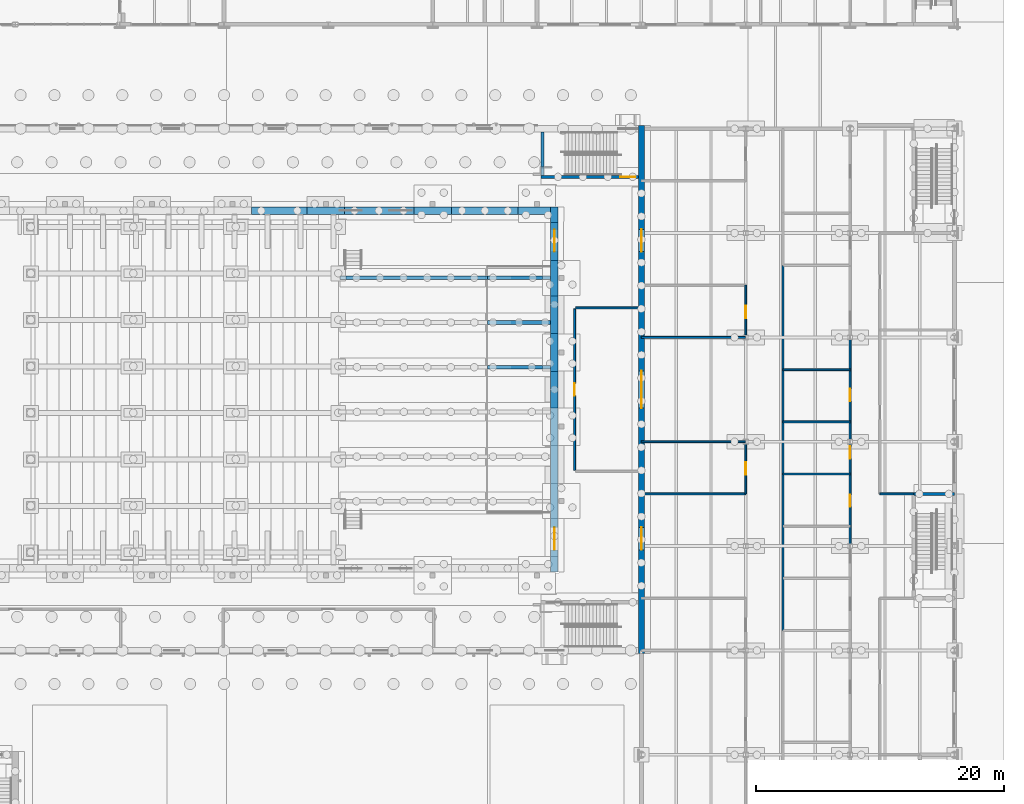
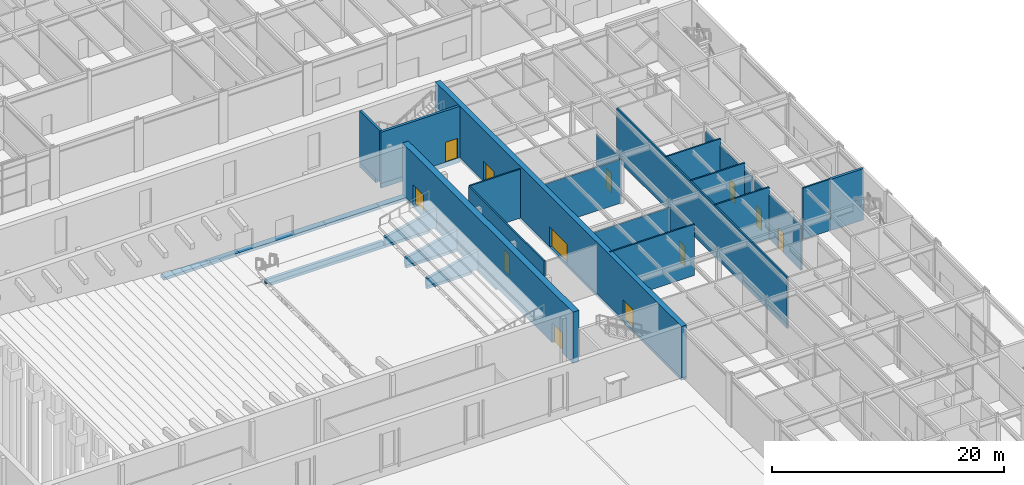
# One storey, part 68 of 127: 42 walls, 12 doors, 12 openings.
"""IFC4 building model written with IfcOpenShell, lengths in metres."""

from ifc_helpers import new_model, si_unit, direction, frame, frame_2d, origin, place, context, subcontext, project, spatial, polyline, rectangle, outline, extrude, material, layer, layer_set, type_object, element, fill, save


model = new_model("IFC4")

# Units and contexts
model_context = context("Model", 3, precision=1e-05, world=origin(), true_north=direction((0.0, 1.0)))
body_context = subcontext(model_context, "Body", "Model", "MODEL_VIEW")
ifc_project = project(units=[si_unit("LENGTHUNIT", "METRE"), si_unit("AREAUNIT", "SQUARE_METRE"), si_unit("VOLUMEUNIT", "CUBIC_METRE"), si_unit("PLANEANGLEUNIT", "RADIAN"), si_unit("MASSUNIT", "GRAM", prefix="KILO")], contexts=[model_context])

# Site, building, storey
site_placement = place(None, origin())
site = spatial("IfcSite", under=ifc_project, at=site_placement, CompositionType="ELEMENT")
building_placement = place(site_placement, origin())
building = spatial("IfcBuilding", under=site, at=building_placement, Name="Ljudholm Concert House", CompositionType="ELEMENT")
storey_placement = place(building_placement, origin())
storey = spatial("IfcBuildingStorey", under=building, at=storey_placement, Name="L00", CompositionType="ELEMENT", Elevation=0.0)

# Wall, opening, door
ifc_material_1 = material(Name="Gypsum board on steel studs", Category="steel")
ifc_layer_1 = layer(ifc_material_1, 0.14990234375)
ifc_layer_set_1 = layer_set([ifc_layer_1], Name="Gypsum board on steel studs")
wall_type_1 = type_object("IfcWallType", Name="GYPSUM PARTITION 150", PredefinedType="PARTITIONING", material=ifc_layer_set_1)
wall_1_placement = place(storey_placement, frame((91.02490234375, 68.89990234375, 0.0), z_axis=(0.0, 0.0, 1.0), x_axis=(0.0, 1.0, 0.0)))
wall_1 = element("IfcWall", 1, at=wall_1_placement, inside=storey, type_object=wall_type_1, Name="Stage Store partition", PredefinedType="PARTITIONING", context=body_context, shape_type="SweptSolid", body=[
    extrude(rectangle(XDim=13.0, YDim=0.14990234375, at=frame_2d((6.5, 0.0))), origin(), (0.0, 0.0, 1.0), 5.14990234375),
])
opening_1_placement = place(wall_1_placement, frame((6.0, 0.0, 0.0)))
opening_1 = element("IfcOpeningElement", 2, at=opening_1_placement, cuts=wall_1, Name="Opening D-H00-005", PredefinedType="OPENING", context=body_context, shape_type="SweptSolid", body=[
    extrude(rectangle(XDim=1.0, YDim=2.10009765625, at=frame_2d((0.5, 1.050048828125))), frame((0.0, 0.0849609375, 0.0), z_axis=(0.0, -1.0, 0.0), x_axis=(1.0, 0.0, 0.0)), (0.0, 0.0, 1.0), 0.169921875),
])
ifc_material_2 = material(Name="Hollow metal door in steel frame", Category="steel")
door_type_1 = type_object("IfcDoorType", Name="SWING DOOR 1000x2100", OperationType="SINGLE_SWING_LEFT", PredefinedType="DOOR", material=ifc_material_2)
door_1_placement = place(opening_1_placement, frame((1.0, 0.0, 0.0), z_axis=(0.0, 0.0, 1.0), x_axis=(-1.0, 0.0, 0.0)))
door_1 = element("IfcDoor", 3, at=door_1_placement, inside=storey, type_object=door_type_1, Name="Stage Store door", OperationType="SINGLE_SWING_LEFT", OverallHeight=2.10009765625, OverallWidth=1.0, PredefinedType="DOOR", context=body_context, shape_type="SweptSolid", body=[
    extrude(rectangle(XDim=1.0, YDim=2.10009765625, at=frame_2d((0.5, 1.050048828125))), frame((0.0, 0.02490234375, 0.0), z_axis=(0.0, -1.0, 0.0), x_axis=(1.0, 0.0, 0.0)), (0.0, 0.0, 1.0), 0.050048828125),
])
fill(opening_1, door_1)

# Wall
wall_2_placement = place(storey_placement, frame((91.10009765625, 81.97509765625, 0.0), z_axis=(0.0, 0.0, 1.0), x_axis=(1.0, 0.0, 0.0)))
element("IfcWall", 4, at=wall_2_placement, inside=storey, type_object=wall_type_1, Name="Stage Store partition", PredefinedType="PARTITIONING", context=body_context, shape_type="SweptSolid", body=[
    extrude(rectangle(XDim=5.0498046875, YDim=0.14990234375, at=frame_2d((2.52490234375, 0.0))), origin(), (0.0, 0.0, 1.0), 5.14990234375),
])

# Wall, opening, door
wall_3_placement = place(storey_placement, frame((104.800048828125, 67.0, 0.0), z_axis=(0.0, 0.0, 1.0), x_axis=(0.0, 1.0, 0.0)))
wall_3 = element("IfcWall", 5, at=wall_3_placement, inside=storey, type_object=wall_type_1, Name="Partition", PredefinedType="PARTITIONING", context=body_context, shape_type="SweptSolid", body=[
    extrude(rectangle(XDim=4.013427734375, YDim=0.14990234375, at=frame_2d((2.0068359375, 0.0))), origin(), (0.0, 0.0, 1.0), 4.6865234375),
])
opening_2_placement = place(wall_3_placement, frame((1.550048828125, 0.0, 0.0)))
opening_2 = element("IfcOpeningElement", 6, at=opening_2_placement, cuts=wall_3, Name="Opening D-W00-021", PredefinedType="OPENING", context=body_context, shape_type="SweptSolid", body=[
    extrude(rectangle(XDim=1.0, YDim=2.10009765625, at=frame_2d((0.5, 1.050048828125))), frame((0.0, 0.0849609375, 0.0), z_axis=(0.0, -1.0, 0.0), x_axis=(1.0, 0.0, 0.0)), (0.0, 0.0, 1.0), 0.169921875),
])
door_2_placement = place(opening_2_placement, origin())
door_2 = element("IfcDoor", 7, at=door_2_placement, inside=storey, type_object=door_type_1, Name="Door", OperationType="SINGLE_SWING_LEFT", OverallHeight=2.10009765625, OverallWidth=1.0, PredefinedType="DOOR", context=body_context, shape_type="SweptSolid", body=[
    extrude(rectangle(XDim=1.0, YDim=2.10009765625, at=frame_2d((0.5, 1.050048828125))), frame((0.0, 0.02490234375, 0.0), z_axis=(0.0, -1.0, 0.0), x_axis=(1.0, 0.0, 0.0)), (0.0, 0.0, 1.0), 0.050048828125),
])
fill(opening_2, door_2)

wall_4_placement = place(storey_placement, frame((104.800048828125, 79.78662109375, 0.0), z_axis=(0.0, 0.0, 1.0), x_axis=(0.0, 1.0, 0.0)))
wall_4 = element("IfcWall", 8, at=wall_4_placement, inside=storey, type_object=wall_type_1, Name="Partition", PredefinedType="PARTITIONING", context=body_context, shape_type="SweptSolid", body=[
    extrude(rectangle(XDim=4.013427734375, YDim=0.14990234375, at=frame_2d((2.0068359375, 0.0))), origin(), (0.0, 0.0, 1.0), 4.6865234375),
])
opening_3_placement = place(wall_4_placement, frame((1.36328125, 0.0, 0.0)))
opening_3 = element("IfcOpeningElement", 9, at=opening_3_placement, cuts=wall_4, Name="Opening D-W00-022", PredefinedType="OPENING", context=body_context, shape_type="SweptSolid", body=[
    extrude(rectangle(XDim=1.0, YDim=2.10009765625, at=frame_2d((0.5, 1.050048828125))), frame((0.0, 0.0849609375, 0.0), z_axis=(0.0, -1.0, 0.0), x_axis=(1.0, 0.0, 0.0)), (0.0, 0.0, 1.0), 0.169921875),
])
door_3_placement = place(opening_3_placement, origin())
door_3 = element("IfcDoor", 10, at=door_3_placement, inside=storey, type_object=door_type_1, Name="Door", OperationType="SINGLE_SWING_LEFT", OverallHeight=2.10009765625, OverallWidth=1.0, PredefinedType="DOOR", context=body_context, shape_type="SweptSolid", body=[
    extrude(rectangle(XDim=1.0, YDim=2.10009765625, at=frame_2d((0.5, 1.050048828125))), frame((0.0, 0.02490234375, 0.0), z_axis=(0.0, -1.0, 0.0), x_axis=(1.0, 0.0, 0.0)), (0.0, 0.0, 1.0), 0.050048828125),
])
fill(opening_3, door_3)

# Wall
wall_5_placement = place(storey_placement, frame((107.800048828125, 56.0, 0.0), z_axis=(0.0, 0.0, 1.0), x_axis=(0.0, 1.0, 0.0)))
element("IfcWall", 11, at=wall_5_placement, inside=storey, type_object=wall_type_1, Name="Partition", PredefinedType="PARTITIONING", context=body_context, shape_type="SweptSolid", body=[
    extrude(rectangle(XDim=29.39990234375, YDim=0.14990234375, at=frame_2d((14.699951171875, 0.0))), origin(), (0.0, 0.0, 1.0), 5.39990234375),
])

# Wall, openings, doors
wall_6_placement = place(storey_placement, frame((113.199951171875, 62.986572265625, 0.0), z_axis=(0.0, 0.0, 1.0), x_axis=(0.0, 1.0, 0.0)))
wall_6 = element("IfcWall", 12, at=wall_6_placement, inside=storey, type_object=wall_type_1, Name="Partition", PredefinedType="PARTITIONING", context=body_context, shape_type="SweptSolid", body=[
    extrude(rectangle(XDim=8.02685546875, YDim=0.14990234375, at=frame_2d((4.013427734375, 0.0))), origin(), (0.0, 0.0, 1.0), 4.6865234375),
])
opening_4_placement = place(wall_6_placement, frame((2.96337890625, 0.0, 0.0)))
opening_4 = element("IfcOpeningElement", 13, at=opening_4_placement, cuts=wall_6, Name="Opening D-W00-031", PredefinedType="OPENING", context=body_context, shape_type="SweptSolid", body=[
    extrude(rectangle(XDim=1.0, YDim=2.10009765625, at=frame_2d((0.5, 1.050048828125))), frame((0.0, 0.0849609375, 0.0), z_axis=(0.0, -1.0, 0.0), x_axis=(1.0, 0.0, 0.0)), (0.0, 0.0, 1.0), 0.169921875),
])
opening_5_placement = place(wall_6_placement, frame((6.86328125, 0.0, 0.0)))
opening_5 = element("IfcOpeningElement", 14, at=opening_5_placement, cuts=wall_6, Name="Opening D-W00-032", PredefinedType="OPENING", context=body_context, shape_type="SweptSolid", body=[
    extrude(rectangle(XDim=1.0, YDim=2.10009765625, at=frame_2d((0.5, 1.050048828125))), frame((0.0, 0.0849609375, 0.0), z_axis=(0.0, -1.0, 0.0), x_axis=(1.0, 0.0, 0.0)), (0.0, 0.0, 1.0), 0.169921875),
])
door_4_placement = place(opening_4_placement, origin())
door_4 = element("IfcDoor", 15, at=door_4_placement, inside=storey, type_object=door_type_1, Name="Door", OperationType="SINGLE_SWING_RIGHT", OverallHeight=2.10009765625, OverallWidth=1.0, PredefinedType="DOOR", context=body_context, shape_type="SweptSolid", body=[
    extrude(rectangle(XDim=1.0, YDim=2.10009765625, at=frame_2d((0.5, 1.050048828125))), frame((0.0, 0.02490234375, 0.0), z_axis=(0.0, -1.0, 0.0), x_axis=(1.0, 0.0, 0.0)), (0.0, 0.0, 1.0), 0.050048828125),
])
fill(opening_4, door_4)
door_5_placement = place(opening_5_placement, origin())
door_5 = element("IfcDoor", 16, at=door_5_placement, inside=storey, type_object=door_type_1, Name="Door", OperationType="SINGLE_SWING_LEFT", OverallHeight=2.10009765625, OverallWidth=1.0, PredefinedType="DOOR", context=body_context, shape_type="SweptSolid", body=[
    extrude(rectangle(XDim=1.0, YDim=2.10009765625, at=frame_2d((0.5, 1.050048828125))), frame((0.0, 0.02490234375, 0.0), z_axis=(0.0, -1.0, 0.0), x_axis=(1.0, 0.0, 0.0)), (0.0, 0.0, 1.0), 0.050048828125),
])
fill(opening_5, door_5)

# Wall, opening, door
wall_7_placement = place(storey_placement, frame((113.199951171875, 71.38671875, 0.0), z_axis=(0.0, 0.0, 1.0), x_axis=(0.0, 1.0, 0.0)))
wall_7 = element("IfcWall", 17, at=wall_7_placement, inside=storey, type_object=wall_type_1, Name="Partition", PredefinedType="PARTITIONING", context=body_context, shape_type="SweptSolid", body=[
    extrude(rectangle(XDim=8.026611328125, YDim=0.14990234375, at=frame_2d((4.01318359375, 0.0))), origin(), (0.0, 0.0, 1.0), 4.6865234375),
])
opening_6_placement = place(wall_7_placement, frame((3.063232421875, 0.0, 0.0)))
opening_6 = element("IfcOpeningElement", 18, at=opening_6_placement, cuts=wall_7, Name="Opening D-W00-033", PredefinedType="OPENING", context=body_context, shape_type="SweptSolid", body=[
    extrude(rectangle(XDim=1.0, YDim=2.10009765625, at=frame_2d((0.5, 1.050048828125))), frame((0.0, 0.0849609375, 0.0), z_axis=(0.0, -1.0, 0.0), x_axis=(1.0, 0.0, 0.0)), (0.0, 0.0, 1.0), 0.169921875),
])
door_6_placement = place(opening_6_placement, origin())
door_6 = element("IfcDoor", 19, at=door_6_placement, inside=storey, type_object=door_type_1, Name="Door", OperationType="SINGLE_SWING_RIGHT", OverallHeight=2.10009765625, OverallWidth=1.0, PredefinedType="DOOR", context=body_context, shape_type="SweptSolid", body=[
    extrude(rectangle(XDim=1.0, YDim=2.10009765625, at=frame_2d((0.5, 1.050048828125))), frame((0.0, 0.02490234375, 0.0), z_axis=(0.0, -1.0, 0.0), x_axis=(1.0, 0.0, 0.0)), (0.0, 0.0, 1.0), 0.050048828125),
])
fill(opening_6, door_6)

# Walls
wall_8_placement = place(storey_placement, frame((96.39990234375, 67.0, 0.0), z_axis=(0.0, 0.0, 1.0), x_axis=(1.0, 0.0, 0.0)))
element("IfcWall", 20, at=wall_8_placement, inside=storey, type_object=wall_type_1, Name="Partition", PredefinedType="PARTITIONING", context=body_context, shape_type="SweptSolid", body=[
    extrude(rectangle(XDim=8.400146484375, YDim=0.14990234375, at=frame_2d((4.2001953125, 0.0))), origin(), (0.0, 0.0, 1.0), 5.39990234375),
])
wall_9_placement = place(storey_placement, frame((115.60009765625, 67.0, 0.0), z_axis=(0.0, 0.0, 1.0), x_axis=(1.0, 0.0, 0.0)))
element("IfcWall", 21, at=wall_9_placement, inside=storey, type_object=wall_type_1, Name="Partition", PredefinedType="PARTITIONING", context=body_context, shape_type="SweptSolid", body=[
    extrude(rectangle(XDim=2.724853515625, YDim=0.14990234375, at=frame_2d((1.3623046875, 0.0))), origin(), (0.0, 0.0, 1.0), 5.39990234375),
])
wall_10_placement = place(storey_placement, frame((107.800048828125, 68.60009765625, 0.0), z_axis=(0.0, 0.0, 1.0), x_axis=(1.0, 0.0, 0.0)))
element("IfcWall", 22, at=wall_10_placement, inside=storey, type_object=wall_type_1, Name="Partition", PredefinedType="PARTITIONING", context=body_context, shape_type="SweptSolid", body=[
    extrude(rectangle(XDim=5.39990234375, YDim=0.14990234375, at=frame_2d((2.699951171875, 0.0))), origin(), (0.0, 0.0, 1.0), 5.39990234375),
])
wall_11_placement = place(storey_placement, frame((96.39990234375, 71.199951171875, 0.0), z_axis=(0.0, 0.0, 1.0), x_axis=(1.0, 0.0, 0.0)))
element("IfcWall", 23, at=wall_11_placement, inside=storey, type_object=wall_type_1, Name="Partition", PredefinedType="PARTITIONING", context=body_context, shape_type="SweptSolid", body=[
    extrude(rectangle(XDim=8.391845703125, YDim=0.14990234375, at=frame_2d((4.19580078125, 0.0))), origin(), (0.0, 0.0, 1.0), 4.60791015625),
])
for number, where, z_axis, x_axis, name in (
    (24, (107.800048828125, 72.800048828125, 0.0), (0.0, 0.0, 1.0), (1.0, 0.0, 0.0), "Partition"),
    (25, (107.800048828125, 77.0, 0.0), (0.0, 0.0, 1.0), (1.0, 0.0, 0.0), "Partition"),
):
    element("IfcWall", number, at=place(storey_placement, frame(where, z_axis=z_axis, x_axis=x_axis)), inside=storey, type_object=wall_type_1, Name=name, PredefinedType="PARTITIONING", context=body_context, shape_type="SweptSolid", body=[
        extrude(rectangle(XDim=5.39990234375, YDim=0.14990234375, at=frame_2d((2.699951171875, 0.0))), origin(), (0.0, 0.0, 1.0), 5.39990234375),
    ])
wall_12_placement = place(storey_placement, frame((96.39990234375, 79.60009765625, 0.0), z_axis=(0.0, 0.0, 1.0), x_axis=(1.0, 0.0, 0.0)))
element("IfcWall", 26, at=wall_12_placement, inside=storey, type_object=wall_type_1, Name="Partition", PredefinedType="PARTITIONING", context=body_context, shape_type="SweptSolid", body=[
    extrude(rectangle(XDim=8.391845703125, YDim=0.14990234375, at=frame_2d((4.19580078125, 0.0))), origin(), (0.0, 0.0, 1.0), 4.60791015625),
])
ifc_material_3 = material(Name="Concrete 6,500 psi", Category="concrete")
ifc_layer_2 = layer(ifc_material_3, 0.25)
ifc_layer_set_2 = layer_set([ifc_layer_2], Name="Concrete 6,500 psi")
wall_type_2 = type_object("IfcWallType", Name="RC CORE WALL 250", PredefinedType="SHEAR", material=ifc_layer_set_2)
wall_13_placement = place(storey_placement, frame((118.324951171875, 67.0, 0.0), z_axis=(0.0, 0.0, 1.0), x_axis=(1.0, 0.0, 0.0)))
element("IfcWall", 27, at=wall_13_placement, inside=storey, type_object=wall_type_2, Name="Stair core wall", PredefinedType="SHEAR", context=body_context, shape_type="SweptSolid", body=[
    extrude(rectangle(XDim=3.275146484375, YDim=0.25, at=frame_2d((1.6376953125, 0.0))), origin(), (0.0, 0.0, 1.0), 5.39990234375),
])

# Wall, opening, door
ifc_material_4 = material(Name="Concrete 6,500 psi", Category="concrete")
ifc_layer_3 = layer(ifc_material_4, 0.25)
ifc_layer_set_3 = layer_set([ifc_layer_3], Name="Concrete 6,500 psi")
wall_type_3 = type_object("IfcWallType", Name="RC WALL 250", PredefinedType="SOLIDWALL", material=ifc_layer_set_3)
wall_14_placement = place(storey_placement, frame((88.300048828125, 92.52490234375, 0.0), z_axis=(0.0, 0.0, 1.0), x_axis=(1.0, 0.0, 0.0)))
wall_14 = element("IfcWall", 28, at=wall_14_placement, inside=storey, type_object=wall_type_3, Name="Stair enclosure wall EH4", PredefinedType="SOLIDWALL", context=body_context, shape_type="SweptSolid", body=[
    extrude(rectangle(XDim=7.849853515625, YDim=0.25, at=frame_2d((3.9248046875, 0.0))), origin(), (0.0, 0.0, 1.0), 5.39990234375),
])
opening_7_placement = place(wall_14_placement, frame((6.39990234375, 0.0, 0.0)))
opening_7 = element("IfcOpeningElement", 29, at=opening_7_placement, cuts=wall_14, Name="Opening D-H00-012", PredefinedType="OPENING", context=body_context, shape_type="SweptSolid", body=[
    extrude(rectangle(XDim=1.199951171875, YDim=2.10009765625, at=frame_2d((0.60009765625, 1.050048828125))), frame((0.0, 0.135009765625, 0.0), z_axis=(0.0, -1.0, 0.0), x_axis=(1.0, 0.0, 0.0)), (0.0, 0.0, 1.0), 0.27001953125),
])
ifc_material_5 = material(Name="Hollow metal door in steel frame", Category="steel")
door_type_2 = type_object("IfcDoorType", Name="SWING DOOR 1200x2100", OperationType="SINGLE_SWING_LEFT", PredefinedType="DOOR", material=ifc_material_5)
door_7_placement = place(opening_7_placement, origin())
door_7 = element("IfcDoor", 30, at=door_7_placement, inside=storey, type_object=door_type_2, Name="Exit stair EH4 door", OperationType="SINGLE_SWING_RIGHT", OverallHeight=2.10009765625, OverallWidth=1.199951171875, PredefinedType="DOOR", context=body_context, shape_type="SweptSolid", body=[
    extrude(rectangle(XDim=1.199951171875, YDim=2.10009765625, at=frame_2d((0.60009765625, 1.050048828125))), frame((0.0, 0.02490234375, 0.0), z_axis=(0.0, -1.0, 0.0), x_axis=(1.0, 0.0, 0.0)), (0.0, 0.0, 1.0), 0.050048828125),
])
fill(opening_7, door_7)

# Walls
wall_15_placement = place(storey_placement, frame((88.425048828125, 92.64990234375, 0.0), z_axis=(0.0, 0.0, 1.0), x_axis=(0.0, 1.0, 0.0)))
element("IfcWall", 31, at=wall_15_placement, inside=storey, type_object=wall_type_3, Name="Stair enclosure wall EH4", PredefinedType="SOLIDWALL", context=body_context, shape_type="SweptSolid", body=[
    extrude(rectangle(XDim=3.5, YDim=0.25, at=frame_2d((1.75, 0.0))), origin(), (0.0, 0.0, 1.0), 5.39990234375),
])
wall_16_placement = place(storey_placement, frame((88.320068359375, 92.52490234375, -0.5), z_axis=(0.0, 0.0, 1.0), x_axis=(1.0, 0.0, 0.0)))
element("IfcWall", 32, at=wall_16_placement, inside=storey, type_object=wall_type_3, Name="Wall stem", PredefinedType="SOLIDWALL", context=body_context, shape_type="SweptSolid", body=[
    extrude(rectangle(XDim=7.829833984375, YDim=0.25, at=frame_2d((3.9150390625, 0.0))), origin(), (0.0, 0.0, 1.0), 0.5),
])
wall_17_placement = place(storey_placement, frame((88.425048828125, 93.344970703125, -0.5), z_axis=(0.0, 0.0, 1.0), x_axis=(0.0, 1.0, 0.0)))
element("IfcWall", 33, at=wall_17_placement, inside=storey, type_object=wall_type_3, Name="Wall stem", PredefinedType="SOLIDWALL", context=body_context, shape_type="SweptSolid", body=[
    extrude(rectangle(XDim=2.804931640625, YDim=0.25, at=frame_2d((1.40234375, 0.0))), origin(), (0.0, 0.0, 1.0), 0.5),
])
ifc_material_6 = material(Name="Concrete 6,500 psi", Category="concrete")
ifc_layer_4 = layer(ifc_material_6, 0.300048828125)
ifc_layer_set_4 = layer_set([ifc_layer_4], Name="Concrete 6,500 psi")
wall_type_4 = type_object("IfcWallType", Name="RC WALL 300", PredefinedType="SOLIDWALL", material=ifc_layer_set_4)
wall_18_placement = place(storey_placement, frame((72.14990234375, 84.39990234375, 0.0), z_axis=(0.0, 0.0, 1.0), x_axis=(1.0, 0.0, 0.0)))
element("IfcWall", 34, at=wall_18_placement, inside=storey, type_object=wall_type_4, Name="Platform support wall", PredefinedType="SOLIDWALL", context=body_context, shape_type="SweptSolid", body=[
    extrude(rectangle(XDim=11.7001953125, YDim=0.300048828125, at=frame_2d((5.85009765625, 0.0))), origin(), (0.0, 0.0, 1.0), 0.449951171875),
])
for number, where, z_axis, x_axis, name in (
    (35, (84.0, 77.199951171875, 0.0), (0.0, 0.0, 1.0), (1.0, 0.0, 0.0), "Choir seating support wall"),
    (36, (84.0, 80.800048828125, 0.0), (0.0, 0.0, 1.0), (1.0, 0.0, 0.0), "Choir seating support wall"),
    (37, (84.0, 84.39990234375, 0.0), (0.0, 0.0, 1.0), (1.0, 0.0, 0.0), "Choir seating support wall"),
):
    element("IfcWall", number, at=place(storey_placement, frame(where, z_axis=z_axis, x_axis=x_axis)), inside=storey, type_object=wall_type_4, Name=name, PredefinedType="SOLIDWALL", context=body_context, shape_type="SweptSolid", body=[
        extrude(outline(polyline([(0.0, 0.0), (5.10009765625, 0.0), (5.10009765625, 1.949951171875), (0.0, 0.75), (0.0, 0.0)])), frame((0.0, 0.14990234375, 0.0), z_axis=(0.0, -1.0, 0.0), x_axis=(1.0, 0.0, 0.0)), (0.0, 0.0, 1.0), 0.300048828125),
    ])
wall_19_placement = place(storey_placement, frame((72.6201171875, 84.39990234375, -0.300048828125), z_axis=(0.0, 0.0, 1.0), x_axis=(1.0, 0.0, 0.0)))
element("IfcWall", 38, at=wall_19_placement, inside=storey, type_object=wall_type_4, Name="Wall stem", PredefinedType="SOLIDWALL", context=body_context, shape_type="SweptSolid", body=[
    extrude(rectangle(XDim=11.39990234375, YDim=0.300048828125, at=frame_2d((5.699951171875, 0.0))), origin(), (0.0, 0.0, 1.0), 0.300048828125),
])
wall_20_placement = place(storey_placement, frame((84.02001953125, 77.199951171875, -0.300048828125), z_axis=(0.0, 0.0, 1.0), x_axis=(1.0, 0.0, 0.0)))
element("IfcWall", 39, at=wall_20_placement, inside=storey, type_object=wall_type_4, Name="Wall stem", PredefinedType="SOLIDWALL", context=body_context, shape_type="SweptSolid", body=[
    extrude(rectangle(XDim=4.409912109375, YDim=0.300048828125, at=frame_2d((2.205078125, 0.0))), origin(), (0.0, 0.0, 1.0), 0.300048828125),
])
wall_21_placement = place(storey_placement, frame((84.02001953125, 80.800048828125, -0.300048828125), z_axis=(0.0, 0.0, 1.0), x_axis=(1.0, 0.0, 0.0)))
element("IfcWall", 40, at=wall_21_placement, inside=storey, type_object=wall_type_4, Name="Wall stem", PredefinedType="SOLIDWALL", context=body_context, shape_type="SweptSolid", body=[
    extrude(rectangle(XDim=5.080078125, YDim=0.300048828125, at=frame_2d((2.5400390625, 0.0))), origin(), (0.0, 0.0, 1.0), 0.300048828125),
])
wall_22_placement = place(storey_placement, frame((84.02001953125, 84.39990234375, -0.300048828125), z_axis=(0.0, 0.0, 1.0), x_axis=(1.0, 0.0, 0.0)))
element("IfcWall", 41, at=wall_22_placement, inside=storey, type_object=wall_type_4, Name="Wall stem", PredefinedType="SOLIDWALL", context=body_context, shape_type="SweptSolid", body=[
    extrude(rectangle(XDim=4.409912109375, YDim=0.300048828125, at=frame_2d((2.205078125, 0.0))), origin(), (0.0, 0.0, 1.0), 0.300048828125),
])

# Wall, openings, doors
ifc_material_7 = material(Name="Concrete 6,500 psi", Category="concrete")
ifc_layer_5 = layer(ifc_material_7, 0.5)
ifc_layer_set_5 = layer_set([ifc_layer_5], Name="Concrete 6,500 psi")
wall_type_5 = type_object("IfcWallType", Name="RC WALL 500", PredefinedType="SOLIDWALL", material=ifc_layer_set_5)
wall_23_placement = place(storey_placement, frame((96.39990234375, 54.14990234375, 0.0), z_axis=(0.0, 0.0, 1.0), x_axis=(0.0, 1.0, 0.0)))
wall_23 = element("IfcWall", 42, at=wall_23_placement, inside=storey, type_object=wall_type_5, Name="Outer wall E", PredefinedType="SOLIDWALL", context=body_context, shape_type="SweptSolid", body=[
    extrude(rectangle(XDim=42.5, YDim=0.5, at=frame_2d((21.25, 0.0))), origin(), (0.0, 0.0, 1.0), 5.39990234375),
])
opening_8_placement = place(wall_23_placement, frame((8.35009765625, 0.0, 0.0)))
opening_8 = element("IfcOpeningElement", 43, at=opening_8_placement, cuts=wall_23, Name="Opening D-H00-017", PredefinedType="OPENING", context=body_context, shape_type="SweptSolid", body=[
    extrude(rectangle(XDim=1.800048828125, YDim=2.10009765625, at=frame_2d((0.89990234375, 1.050048828125))), frame((0.0, 0.260009765625, 0.0), z_axis=(0.0, -1.0, 0.0), x_axis=(1.0, 0.0, 0.0)), (0.0, 0.0, 1.0), 0.52001953125),
])
opening_9_placement = place(wall_23_placement, frame((19.75, 0.0, 0.0)))
opening_9 = element("IfcOpeningElement", 44, at=opening_9_placement, cuts=wall_23, Name="Opening D-H00-018", PredefinedType="OPENING", context=body_context, shape_type="SweptSolid", body=[
    extrude(rectangle(XDim=3.0, YDim=2.10009765625, at=frame_2d((1.5, 1.050048828125))), frame((0.0, 0.260009765625, 0.0), z_axis=(0.0, -1.0, 0.0), x_axis=(1.0, 0.0, 0.0)), (0.0, 0.0, 1.0), 0.52001953125),
])
opening_10_placement = place(wall_23_placement, frame((32.35009765625, 0.0, 0.0)))
opening_10 = element("IfcOpeningElement", 45, at=opening_10_placement, cuts=wall_23, Name="Opening D-H00-019", PredefinedType="OPENING", context=body_context, shape_type="SweptSolid", body=[
    extrude(rectangle(XDim=1.800048828125, YDim=2.10009765625, at=frame_2d((0.89990234375, 1.050048828125))), frame((0.0, 0.260009765625, 0.0), z_axis=(0.0, -1.0, 0.0), x_axis=(1.0, 0.0, 0.0)), (0.0, 0.0, 1.0), 0.52001953125),
])
ifc_material_8 = material(Name="Hollow metal door in steel frame", Category="steel")
door_type_3 = type_object("IfcDoorType", Name="DOUBLE DOOR 1800x2100", OperationType="DOUBLE_DOOR_SINGLE_SWING", PredefinedType="DOOR", material=ifc_material_8)
door_8_placement = place(opening_8_placement, origin())
door_8 = element("IfcDoor", 46, at=door_8_placement, inside=storey, type_object=door_type_3, Name="Port P-HB-1 door", OperationType="DOUBLE_DOOR_SINGLE_SWING", OverallHeight=2.10009765625, OverallWidth=1.800048828125, PredefinedType="DOOR", context=body_context, shape_type="SweptSolid", body=[
    extrude(rectangle(XDim=1.800048828125, YDim=2.10009765625, at=frame_2d((0.89990234375, 1.050048828125))), frame((0.0, 0.02490234375, 0.0), z_axis=(0.0, -1.0, 0.0), x_axis=(1.0, 0.0, 0.0)), (0.0, 0.0, 1.0), 0.050048828125),
])
fill(opening_8, door_8)
door_9_placement = place(opening_10_placement, origin())
door_9 = element("IfcDoor", 47, at=door_9_placement, inside=storey, type_object=door_type_3, Name="Port P-HB-3 door", OperationType="DOUBLE_DOOR_SINGLE_SWING", OverallHeight=2.10009765625, OverallWidth=1.800048828125, PredefinedType="DOOR", context=body_context, shape_type="SweptSolid", body=[
    extrude(rectangle(XDim=1.800048828125, YDim=2.10009765625, at=frame_2d((0.89990234375, 1.050048828125))), frame((0.0, 0.02490234375, 0.0), z_axis=(0.0, -1.0, 0.0), x_axis=(1.0, 0.0, 0.0)), (0.0, 0.0, 1.0), 0.050048828125),
])
fill(opening_10, door_9)
ifc_material_9 = material(Name="Hollow metal door in steel frame", Category="steel")
door_type_4 = type_object("IfcDoorType", Name="DOUBLE DOOR 3000x2100", OperationType="DOUBLE_DOOR_SINGLE_SWING", PredefinedType="DOOR", material=ifc_material_9)
door_10_placement = place(opening_9_placement, origin())
door_10 = element("IfcDoor", 48, at=door_10_placement, inside=storey, type_object=door_type_4, Name="Port P-HB-2 door", OperationType="DOUBLE_DOOR_SINGLE_SWING", OverallHeight=2.10009765625, OverallWidth=3.0, PredefinedType="DOOR", context=body_context, shape_type="SweptSolid", body=[
    extrude(rectangle(XDim=3.0, YDim=2.10009765625, at=frame_2d((1.5, 1.050048828125))), frame((0.0, 0.02490234375, 0.0), z_axis=(0.0, -1.0, 0.0), x_axis=(1.0, 0.0, 0.0)), (0.0, 0.0, 1.0), 0.050048828125),
])
fill(opening_9, door_10)

# Wall
ifc_material_10 = material(Name="Concrete 6,500 psi", Category="concrete")
ifc_layer_6 = layer(ifc_material_10, 0.5)
ifc_layer_set_6 = layer_set([ifc_layer_6], Name="Concrete 6,500 psi")
wall_type_6 = type_object("IfcWallType", Name="RC WALL 500 INTERNAL", PredefinedType="SOLIDWALL", material=ifc_layer_set_6)
wall_24_placement = place(storey_placement, frame((96.39990234375, 54.169921875, -0.300048828125), z_axis=(0.0, 0.0, 1.0), x_axis=(0.0, 1.0, 0.0)))
element("IfcWall", 49, at=wall_24_placement, inside=storey, type_object=wall_type_6, Name="Wall stem", PredefinedType="SOLIDWALL", context=body_context, shape_type="SweptSolid", body=[
    extrude(rectangle(XDim=42.4599609375, YDim=0.5, at=frame_2d((21.22998046875, 0.0))), origin(), (0.0, 0.0, 1.0), 0.300048828125),
])

# Wall, openings, doors
ifc_material_11 = material(Name="Concrete 6,500 psi", Category="concrete")
ifc_layer_7 = layer(ifc_material_11, 0.60009765625)
ifc_layer_set_7 = layer_set([ifc_layer_7], Name="Concrete 6,500 psi")
wall_type_7 = type_object("IfcWallType", Name="RC WALL 600", PredefinedType="SOLIDWALL", material=ifc_layer_set_7)
wall_25_placement = place(storey_placement, frame((89.39990234375, 60.699951171875, 0.0), z_axis=(0.0, 0.0, 1.0), x_axis=(0.0, 1.0, 0.0)))
wall_25 = element("IfcWall", 50, at=wall_25_placement, inside=storey, type_object=wall_type_7, Name="Inner box wall E", PredefinedType="SOLIDWALL", context=body_context, shape_type="SweptSolid", body=[
    extrude(rectangle(XDim=29.400146484375, YDim=0.60009765625, at=frame_2d((14.7001953125, 0.0))), origin(), (0.0, 0.0, 1.0), 5.39990234375),
])
opening_11_placement = place(wall_25_placement, frame((1.800048828125, 0.0, 0.0)))
opening_11 = element("IfcOpeningElement", 51, at=opening_11_placement, cuts=wall_25, Name="Opening D-H00-024", PredefinedType="OPENING", context=body_context, shape_type="SweptSolid", body=[
    extrude(rectangle(XDim=1.800048828125, YDim=2.10009765625, at=frame_2d((0.89990234375, 1.050048828125))), frame((0.0, 0.31005859375, 0.0), z_axis=(0.0, -1.0, 0.0), x_axis=(1.0, 0.0, 0.0)), (0.0, 0.0, 1.0), 0.6201171875),
])
opening_12_placement = place(wall_25_placement, frame((25.800048828125, 0.0, 0.0)))
opening_12 = element("IfcOpeningElement", 52, at=opening_12_placement, cuts=wall_25, Name="Opening D-H00-025", PredefinedType="OPENING", context=body_context, shape_type="SweptSolid", body=[
    extrude(rectangle(XDim=1.800048828125, YDim=2.10009765625, at=frame_2d((0.89990234375, 1.050048828125))), frame((0.0, 0.31005859375, 0.0), z_axis=(0.0, -1.0, 0.0), x_axis=(1.0, 0.0, 0.0)), (0.0, 0.0, 1.0), 0.6201171875),
])
door_11_placement = place(opening_11_placement, origin())
door_11 = element("IfcDoor", 53, at=door_11_placement, inside=storey, type_object=door_type_3, Name="Stage door", OperationType="DOUBLE_DOOR_SINGLE_SWING", OverallHeight=2.10009765625, OverallWidth=1.800048828125, PredefinedType="DOOR", context=body_context, shape_type="SweptSolid", body=[
    extrude(rectangle(XDim=1.800048828125, YDim=2.10009765625, at=frame_2d((0.89990234375, 1.050048828125))), frame((0.0, 0.02490234375, 0.0), z_axis=(0.0, -1.0, 0.0), x_axis=(1.0, 0.0, 0.0)), (0.0, 0.0, 1.0), 0.050048828125),
])
fill(opening_11, door_11)
door_12_placement = place(opening_12_placement, origin())
door_12 = element("IfcDoor", 54, at=door_12_placement, inside=storey, type_object=door_type_3, Name="Stage door", OperationType="DOUBLE_DOOR_SINGLE_SWING", OverallHeight=2.10009765625, OverallWidth=1.800048828125, PredefinedType="DOOR", context=body_context, shape_type="SweptSolid", body=[
    extrude(rectangle(XDim=1.800048828125, YDim=2.10009765625, at=frame_2d((0.89990234375, 1.050048828125))), frame((0.0, 0.02490234375, 0.0), z_axis=(0.0, -1.0, 0.0), x_axis=(1.0, 0.0, 0.0)), (0.0, 0.0, 1.0), 0.050048828125),
])
fill(opening_12, door_12)

# Walls
wall_26_placement = place(storey_placement, frame((89.39990234375, 88.830078125, -0.300048828125), z_axis=(0.0, 0.0, 1.0), x_axis=(0.0, 1.0, 0.0)))
element("IfcWall", 55, at=wall_26_placement, inside=storey, type_object=wall_type_7, Name="Wall stem", PredefinedType="SOLIDWALL", context=body_context, shape_type="SweptSolid", body=[
    extrude(rectangle(XDim=1.27001953125, YDim=0.60009765625, at=frame_2d((0.635009765625, 0.0))), origin(), (0.0, 0.0, 1.0), 0.300048828125),
])
wall_27_placement = place(storey_placement, frame((89.39990234375, 76.8701171875, -0.300048828125), z_axis=(0.0, 0.0, 1.0), x_axis=(0.0, 1.0, 0.0)))
element("IfcWall", 56, at=wall_27_placement, inside=storey, type_object=wall_type_7, Name="Wall stem", PredefinedType="SOLIDWALL", context=body_context, shape_type="SweptSolid", body=[
    extrude(rectangle(XDim=3.039794921875, YDim=0.60009765625, at=frame_2d((1.52001953125, 0.0))), origin(), (0.0, 0.0, 1.0), 0.300048828125),
])
wall_28_placement = place(storey_placement, frame((89.39990234375, 82.949951171875, -0.300048828125), z_axis=(0.0, 0.0, 1.0), x_axis=(0.0, 1.0, 0.0)))
element("IfcWall", 57, at=wall_28_placement, inside=storey, type_object=wall_type_7, Name="Wall stem", PredefinedType="SOLIDWALL", context=body_context, shape_type="SweptSolid", body=[
    extrude(rectangle(XDim=2.840087890625, YDim=0.60009765625, at=frame_2d((1.419921875, 0.0))), origin(), (0.0, 0.0, 1.0), 0.300048828125),
])
wall_29_placement = place(storey_placement, frame((89.39990234375, 73.929931640625, -0.300048828125), z_axis=(0.0, 0.0, 1.0), x_axis=(0.0, 1.0, 0.0)))
element("IfcWall", 58, at=wall_29_placement, inside=storey, type_object=wall_type_7, Name="Wall stem", PredefinedType="SOLIDWALL", context=body_context, shape_type="SweptSolid", body=[
    extrude(rectangle(XDim=2.940185546875, YDim=0.60009765625, at=frame_2d((1.47021484375, 0.0))), origin(), (0.0, 0.0, 1.0), 0.300048828125),
])
for number, where, z_axis, x_axis, name in (
    (59, (89.39990234375, 85.7900390625, -0.300048828125), (0.0, 0.0, 1.0), (0.0, 1.0, 0.0), "Wall stem"),
    (60, (89.39990234375, 79.909912109375, -0.300048828125), (0.0, 0.0, 1.0), (0.0, 1.0, 0.0), "Wall stem"),
    (61, (69.47998046875, 89.800048828125, -0.300048828125), (0.0, 0.0, 1.0), (1.0, 0.0, 0.0), "Wall stem"),
    (62, (78.080078125, 89.800048828125, -0.300048828125), (0.0, 0.0, 1.0), (1.0, 0.0, 0.0), "Wall stem"),
):
    element("IfcWall", number, at=place(storey_placement, frame(where, z_axis=z_axis, x_axis=x_axis)), inside=storey, type_object=wall_type_7, Name=name, PredefinedType="SOLIDWALL", context=body_context, shape_type="SweptSolid", body=[
        extrude(rectangle(XDim=3.0400390625, YDim=0.60009765625, at=frame_2d((1.52001953125, 0.0))), origin(), (0.0, 0.0, 1.0), 0.300048828125),
    ])
wall_30_placement = place(storey_placement, frame((86.47998046875, 89.800048828125, -0.300048828125), z_axis=(0.0, 0.0, 1.0), x_axis=(1.0, 0.0, 0.0)))
element("IfcWall", 63, at=wall_30_placement, inside=storey, type_object=wall_type_7, Name="Wall stem", PredefinedType="SOLIDWALL", context=body_context, shape_type="SweptSolid", body=[
    extrude(rectangle(XDim=2.6201171875, YDim=0.60009765625, at=frame_2d((1.31005859375, 0.0))), origin(), (0.0, 0.0, 1.0), 0.300048828125),
])
wall_31_placement = place(storey_placement, frame((65.02001953125, 89.800048828125, -0.300048828125), z_axis=(0.0, 0.0, 1.0), x_axis=(1.0, 0.0, 0.0)))
element("IfcWall", 64, at=wall_31_placement, inside=storey, type_object=wall_type_7, Name="Wall stem", PredefinedType="SOLIDWALL", context=body_context, shape_type="SweptSolid", body=[
    extrude(rectangle(XDim=4.4599609375, YDim=0.60009765625, at=frame_2d((2.22998046875, 0.0))), origin(), (0.0, 0.0, 1.0), 0.300048828125),
])
wall_32_placement = place(storey_placement, frame((72.52001953125, 89.800048828125, -0.300048828125), z_axis=(0.0, 0.0, 1.0), x_axis=(1.0, 0.0, 0.0)))
element("IfcWall", 65, at=wall_32_placement, inside=storey, type_object=wall_type_7, Name="Wall stem", PredefinedType="SOLIDWALL", context=body_context, shape_type="SweptSolid", body=[
    extrude(rectangle(XDim=5.56005859375, YDim=0.60009765625, at=frame_2d((2.780029296875, 0.0))), origin(), (0.0, 0.0, 1.0), 0.300048828125),
])
wall_33_placement = place(storey_placement, frame((81.1201171875, 89.800048828125, -0.300048828125), z_axis=(0.0, 0.0, 1.0), x_axis=(1.0, 0.0, 0.0)))
element("IfcWall", 66, at=wall_33_placement, inside=storey, type_object=wall_type_7, Name="Wall stem", PredefinedType="SOLIDWALL", context=body_context, shape_type="SweptSolid", body=[
    extrude(rectangle(XDim=5.35986328125, YDim=0.60009765625, at=frame_2d((2.679931640625, 0.0))), origin(), (0.0, 0.0, 1.0), 0.300048828125),
])

save(model, "model.ifc")
